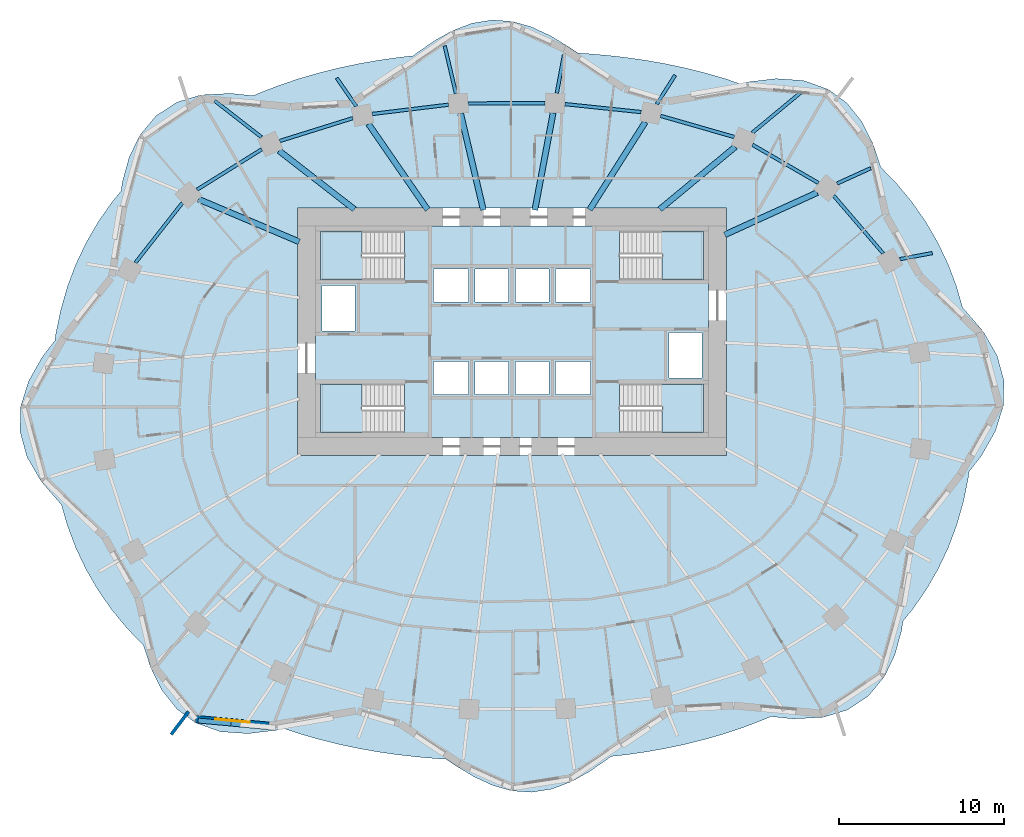
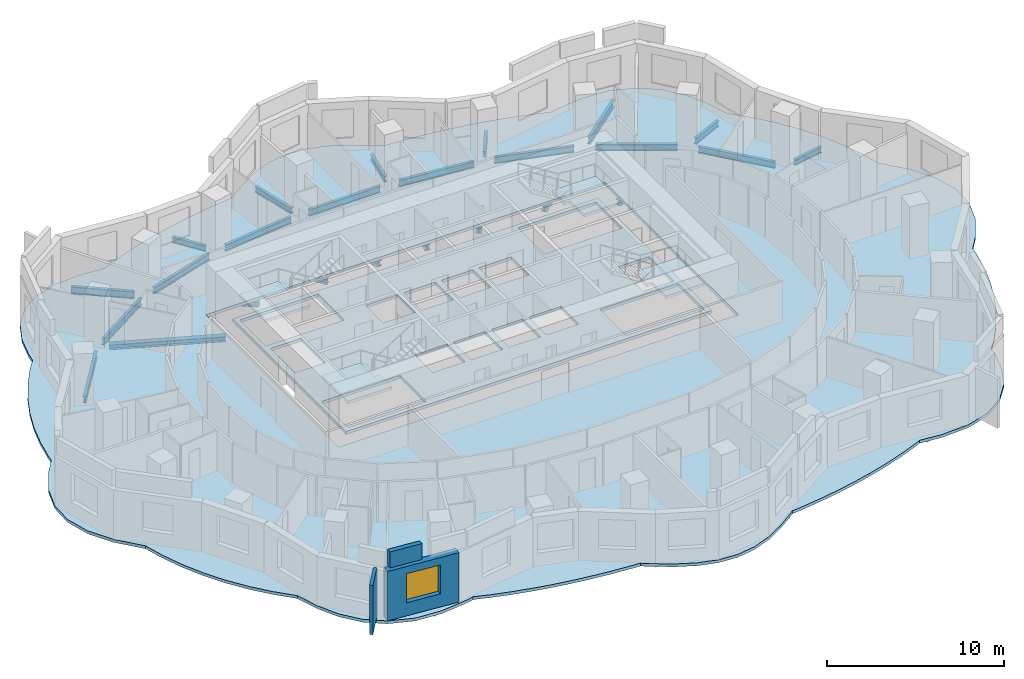
# One storey, part 2 of 11: 25 beams, 6 slabs, 3 walls, 1 window, 1 opening, 4 elements without a shape of their own.
"""IFC4 building model written with IfcOpenShell, lengths in metres."""

from ifc_helpers import new_model, si_unit, direction, frame, frame_2d, origin, origin_2d, place, context, subcontext, project, spatial, polyline, rectangle, i_section, outline, extrude, material, layer, layer_set, material_profile, profile_set, type_object, element, fill, aggregate, save


model = new_model("IFC4")

# Units and contexts
model_context = context("Model", 3, precision=1e-05, world=origin(), true_north=direction((0.0, 1.0)))
body_context = subcontext(model_context, "Body", "Model", "MODEL_VIEW")
ifc_project = project(units=[si_unit("LENGTHUNIT", "METRE"), si_unit("AREAUNIT", "SQUARE_METRE"), si_unit("VOLUMEUNIT", "CUBIC_METRE"), si_unit("PLANEANGLEUNIT", "RADIAN"), si_unit("MASSUNIT", "GRAM", prefix="KILO")], contexts=[model_context])

# Site, building, storey
site_placement = place(None, origin())
site = spatial("IfcSite", under=ifc_project, at=site_placement, CompositionType="ELEMENT")
building_placement = place(site_placement, origin())
building = spatial("IfcBuilding", under=site, at=building_placement, Name="Rubra Terraces Tower", CompositionType="ELEMENT")
storey_placement = place(building_placement, frame((0.0, 0.0, 81.60009765625)))
storey = spatial("IfcBuildingStorey", under=building, at=storey_placement, Name="L18", CompositionType="ELEMENT", Elevation=81.60009765625)

# Beams
ifc_material_1 = material(Name="Steel Q355B", Category="steel")
ifc_material_profile_1 = material_profile(ifc_material_1, i_section(OverallWidth=0.199951171875, OverallDepth=0.39990234375, WebThickness=0.008056640625, FlangeThickness=0.012939453125, at=origin_2d()), Name="HN 400x200x8x13")
ifc_profile_set_1 = profile_set([ifc_material_profile_1], Name="Steel Q355B")
beam_type_1 = type_object("IfcBeamType", Name="CANTILEVER BEAM HN 400x200x8x13", PredefinedType="BEAM", material=ifc_profile_set_1)
beam_1_placement = place(storey_placement, frame((23.5009765625, 8.904052734375, -0.400146484375), z_axis=(0.982960917901, 0.183814672646, 0.0), x_axis=(-0.183814672646, 0.982960917901, 0.0)))
element("IfcBeam", 1, at=beam_1_placement, inside=storey, type_object=beam_type_1, Name="beam-L18-cant-02", PredefinedType="BEAM", context=body_context, shape_type="SweptSolid", body=[
    extrude(i_section(OverallWidth=0.199951171875, OverallDepth=0.39990234375, WebThickness=0.008056640625, FlangeThickness=0.012939453125, at=origin_2d()), origin(), (0.0, 0.0, 1.0), 1.990966796875),
])
beam_2_placement = place(storey_placement, frame((19.697998046875, 13.485107421875, -0.400146484375), z_axis=(0.909796599885, 0.415054390216, 0.0), x_axis=(-0.415054390216, 0.909796599885, 0.0)))
element("IfcBeam", 2, at=beam_2_placement, inside=storey, type_object=beam_type_1, Name="beam-L18-cant-03", PredefinedType="BEAM", context=body_context, shape_type="SweptSolid", body=[
    extrude(i_section(OverallWidth=0.199951171875, OverallDepth=0.39990234375, WebThickness=0.008056640625, FlangeThickness=0.012939453125, at=origin_2d()), origin(), (0.0, 0.0, 1.0), 2.2333984375),
])
beam_3_placement = place(storey_placement, frame((8.76806640625, 18.29296875, -0.400146484375), z_axis=(0.536463819228, 0.843923320367, 0.0), x_axis=(-0.843923320367, 0.536463819228, 0.0)))
element("IfcBeam", 3, at=beam_3_placement, inside=storey, type_object=beam_type_1, Name="beam-L18-cant-05", PredefinedType="BEAM", context=body_context, shape_type="SweptSolid", body=[
    extrude(i_section(OverallWidth=0.199951171875, OverallDepth=0.39990234375, WebThickness=0.008056640625, FlangeThickness=0.012939453125, at=origin_2d()), origin(), (0.0, 0.0, 1.0), 2.072509765625),
])
beam_4_placement = place(storey_placement, frame((2.714111328125, 18.952880859375, -0.400146484375), z_axis=(0.184089718966, 0.982909444136, 0.0), x_axis=(-0.982909444136, 0.184089718966, 0.0)))
element("IfcBeam", 4, at=beam_4_placement, inside=storey, type_object=beam_type_1, Name="beam-L18-cant-06", PredefinedType="BEAM", context=body_context, shape_type="SweptSolid", body=[
    extrude(i_section(OverallWidth=0.199951171875, OverallDepth=0.39990234375, WebThickness=0.008056640625, FlangeThickness=0.012939453125, at=origin_2d()), origin(), (0.0, 0.0, 1.0), 2.37255859375),
])
beam_5_placement = place(storey_placement, frame((-3.39306640625, 18.922119140625, -0.400146484375), z_axis=(-0.229208331065, 0.973377388771, 0.0), x_axis=(-0.973377388771, -0.229208331065, 0.0)))
element("IfcBeam", 5, at=beam_5_placement, inside=storey, type_object=beam_type_1, Name="beam-L18-cant-07", PredefinedType="BEAM", context=body_context, shape_type="SweptSolid", body=[
    extrude(i_section(OverallWidth=0.199951171875, OverallDepth=0.39990234375, WebThickness=0.008056640625, FlangeThickness=0.012939453125, at=origin_2d()), origin(), (0.0, 0.0, 1.0), 2.979248046875),
])
beam_6_placement = place(storey_placement, frame((-9.431884765625, 18.158935546875, -0.400146484375), z_axis=(-0.56812095181, 0.822945067495, 0.0), x_axis=(-0.822945067495, -0.56812095181, 0.0)))
element("IfcBeam", 6, at=beam_6_placement, inside=storey, type_object=beam_type_1, Name="beam-L18-cant-08", PredefinedType="BEAM", context=body_context, shape_type="SweptSolid", body=[
    extrude(i_section(OverallWidth=0.199951171875, OverallDepth=0.39990234375, WebThickness=0.008056640625, FlangeThickness=0.012939453125, at=origin_2d()), origin(), (0.0, 0.0, 1.0), 2.087646484375),
])
ifc_material_profile_2 = material_profile(ifc_material_1, i_section(OverallWidth=0.198974609375, OverallDepth=0.49609375, WebThickness=0.009033203125, FlangeThickness=0.013916015625, at=origin_2d()), Name="HN 496x199x9x14")
ifc_profile_set_2 = profile_set([ifc_material_profile_2], Name="Steel Q355B")
beam_type_2 = type_object("IfcBeamType", Name="CANTILEVER BEAM HN 496x199x9x14", PredefinedType="BEAM", material=ifc_profile_set_2)
beam_7_placement = place(storey_placement, frame((14.56201171875, 16.56689453125, -0.447998046875), z_axis=(0.769981645212, 0.638066035796, 0.0), x_axis=(-0.638066035796, 0.769981645212, 0.0)))
element("IfcBeam", 7, at=beam_7_placement, inside=storey, type_object=beam_type_2, Name="beam-L18-cant-04", PredefinedType="BEAM", context=body_context, shape_type="SweptSolid", body=[
    extrude(i_section(OverallWidth=0.198974609375, OverallDepth=0.49609375, WebThickness=0.009033203125, FlangeThickness=0.013916015625, at=origin_2d()), origin(), (0.0, 0.0, 1.0), 3.949462890625),
])
beam_8_placement = place(storey_placement, frame((-15.177001953125, 16.2958984375, -0.447998046875), z_axis=(-0.789542430664, 0.613695975366, 0.0), x_axis=(-0.613695975366, -0.789542430664, 0.0)))
element("IfcBeam", 8, at=beam_8_placement, inside=storey, type_object=beam_type_2, Name="beam-L18-cant-09", PredefinedType="BEAM", context=body_context, shape_type="SweptSolid", body=[
    extrude(i_section(OverallWidth=0.198974609375, OverallDepth=0.49609375, WebThickness=0.009033203125, FlangeThickness=0.013916015625, at=origin_2d()), origin(), (0.0, 0.0, 1.0), 3.593017578125),
])
ifc_material_profile_3 = material_profile(ifc_material_1, i_section(OverallWidth=0.35009765625, OverallDepth=0.35009765625, WebThickness=0.011962890625, FlangeThickness=0.01904296875, at=origin_2d()), Name="HW 350x350x12x19")
ifc_profile_set_3 = profile_set([ifc_material_profile_3], Name="Steel Q355B")
beam_type_3 = type_object("IfcBeamType", Name="FLOOR BEAM HW 350x350x12x19", PredefinedType="BEAM", material=ifc_profile_set_3)
beam_9_placement = place(storey_placement, frame((18.486083984375, 12.93310546875, -0.375), z_axis=(-0.909749612827, -0.415157370116, 0.0), x_axis=(0.415157370116, -0.909749612827, 0.0)))
element("IfcBeam", 9, at=beam_9_placement, inside=storey, type_object=beam_type_3, Name="beam-L18-floor-03", PredefinedType="BEAM", context=body_context, shape_type="SweptSolid", body=[
    extrude(i_section(OverallWidth=0.35009765625, OverallDepth=0.35009765625, WebThickness=0.011962890625, FlangeThickness=0.01904296875, at=origin_2d()), origin(), (0.0, 0.0, 1.0), 6.14990234375),
])
beam_10_placement = place(storey_placement, frame((13.52197265625, 15.705078125, -0.375), z_axis=(-0.769987448283, -0.638059032917, 0.0), x_axis=(0.638059032917, -0.769987448283, 0.0)))
element("IfcBeam", 10, at=beam_10_placement, inside=storey, type_object=beam_type_3, Name="beam-L18-floor-04", PredefinedType="BEAM", context=body_context, shape_type="SweptSolid", body=[
    extrude(i_section(OverallWidth=0.35009765625, OverallDepth=0.35009765625, WebThickness=0.011962890625, FlangeThickness=0.01904296875, at=origin_2d()), origin(), (0.0, 0.0, 1.0), 5.92724609375),
])
beam_11_placement = place(storey_placement, frame((8.075927734375, 17.205078125, -0.375), z_axis=(-0.536468405163, -0.843920405169, 0.0), x_axis=(0.843920405169, -0.536468405163, 0.0)))
element("IfcBeam", 11, at=beam_11_placement, inside=storey, type_object=beam_type_3, Name="beam-L18-floor-05", PredefinedType="BEAM", context=body_context, shape_type="SweptSolid", body=[
    extrude(i_section(OverallWidth=0.35009765625, OverallDepth=0.35009765625, WebThickness=0.011962890625, FlangeThickness=0.01904296875, at=origin_2d()), origin(), (0.0, 0.0, 1.0), 6.28759765625),
])
beam_12_placement = place(storey_placement, frame((2.489990234375, 17.762939453125, -0.375), z_axis=(-0.184505318504, -0.982831515288, 0.0), x_axis=(0.982831515288, -0.184505318504, 0.0)))
element("IfcBeam", 12, at=beam_12_placement, inside=storey, type_object=beam_type_3, Name="beam-L18-floor-06", PredefinedType="BEAM", context=body_context, shape_type="SweptSolid", body=[
    extrude(i_section(OverallWidth=0.35009765625, OverallDepth=0.35009765625, WebThickness=0.011962890625, FlangeThickness=0.01904296875, at=origin_2d()), origin(), (0.0, 0.0, 1.0), 5.983642578125),
])
beam_13_placement = place(storey_placement, frame((-3.114990234375, 17.738037109375, -0.375), z_axis=(0.229084580284, -0.973406520975, 0.0), x_axis=(0.973406520975, 0.229084580284, 0.0)))
element("IfcBeam", 13, at=beam_13_placement, inside=storey, type_object=beam_type_3, Name="beam-L18-floor-07", PredefinedType="BEAM", context=body_context, shape_type="SweptSolid", body=[
    extrude(i_section(OverallWidth=0.35009765625, OverallDepth=0.35009765625, WebThickness=0.011962890625, FlangeThickness=0.01904296875, at=origin_2d()), origin(), (0.0, 0.0, 1.0), 6.014892578125),
])
beam_14_placement = place(storey_placement, frame((-8.694091796875, 17.091064453125, -0.375), z_axis=(0.568116443955, -0.822948179479, 0.0), x_axis=(0.822948179479, 0.568116443955, 0.0)))
element("IfcBeam", 14, at=beam_14_placement, inside=storey, type_object=beam_type_3, Name="beam-L18-floor-08", PredefinedType="BEAM", context=body_context, shape_type="SweptSolid", body=[
    extrude(i_section(OverallWidth=0.35009765625, OverallDepth=0.35009765625, WebThickness=0.011962890625, FlangeThickness=0.01904296875, at=origin_2d()), origin(), (0.0, 0.0, 1.0), 6.306884765625),
])
beam_15_placement = place(storey_placement, frame((-14.10888671875, 15.466064453125, -0.375), z_axis=(0.789514006973, -0.613732541742, 0.0), x_axis=(0.613732541742, 0.789514006973, 0.0)))
element("IfcBeam", 15, at=beam_15_placement, inside=storey, type_object=beam_type_3, Name="beam-L18-floor-09", PredefinedType="BEAM", context=body_context, shape_type="SweptSolid", body=[
    extrude(i_section(OverallWidth=0.35009765625, OverallDepth=0.35009765625, WebThickness=0.011962890625, FlangeThickness=0.01904296875, at=origin_2d()), origin(), (0.0, 0.0, 1.0), 5.76806640625),
])
beam_16_placement = place(storey_placement, frame((-18.98291015625, 12.531982421875, -0.375), z_axis=(0.920986092, -0.389595454726, 0.0), x_axis=(0.389595454726, 0.920986092, 0.0)))
element("IfcBeam", 16, at=beam_16_placement, inside=storey, type_object=beam_type_3, Name="beam-L18-floor-10", PredefinedType="BEAM", context=body_context, shape_type="SweptSolid", body=[
    extrude(i_section(OverallWidth=0.35009765625, OverallDepth=0.35009765625, WebThickness=0.011962890625, FlangeThickness=0.01904296875, at=origin_2d()), origin(), (0.0, 0.0, 1.0), 6.61669921875),
])
ifc_material_profile_4 = material_profile(ifc_material_1, i_section(OverallWidth=0.198974609375, OverallDepth=0.446044921875, WebThickness=0.008056640625, FlangeThickness=0.011962890625, at=origin_2d()), Name="HN 446x199x8x12")
ifc_profile_set_4 = profile_set([ifc_material_profile_4], Name="Steel Q355B")
beam_type_4 = type_object("IfcBeamType", Name="SPANDREL BEAM HN 446x199x8x12", PredefinedType="SPANDREL", material=ifc_profile_set_4)
beam_17_placement = place(storey_placement, frame((22.48095703125, 9.251953125, -0.423095703125), z_axis=(-0.650428637413, 0.759567368726, 0.0), x_axis=(-0.759567368726, -0.650428637413, 0.0)))
element("IfcBeam", 17, at=beam_17_placement, inside=storey, type_object=beam_type_4, Name="beam-L18-spandrel-02", PredefinedType="SPANDREL", context=body_context, shape_type="SweptSolid", body=[
    extrude(i_section(OverallWidth=0.198974609375, OverallDepth=0.446044921875, WebThickness=0.008056640625, FlangeThickness=0.011962890625, at=origin_2d()), origin(), (0.0, 0.0, 1.0), 4.6015625),
])
beam_18_placement = place(storey_placement, frame((18.56494140625, 13.513916015625, -0.423095703125), z_axis=(-0.865116425734, 0.501571101565, 0.0), x_axis=(-0.501571101565, -0.865116425734, 0.0)))
element("IfcBeam", 18, at=beam_18_placement, inside=storey, type_object=beam_type_4, Name="beam-L18-spandrel-03", PredefinedType="SPANDREL", context=body_context, shape_type="SweptSolid", body=[
    extrude(i_section(OverallWidth=0.198974609375, OverallDepth=0.446044921875, WebThickness=0.008056640625, FlangeThickness=0.011962890625, at=origin_2d()), origin(), (0.0, 0.0, 1.0), 4.62353515625),
])
beam_19_placement = place(storey_placement, frame((13.4609375, 16.302978515625, -0.423095703125), z_axis=(-0.961195652649, 0.275867572085, 0.0), x_axis=(-0.275867572085, -0.961195652649, 0.0)))
element("IfcBeam", 19, at=beam_19_placement, inside=storey, type_object=beam_type_4, Name="beam-L18-spandrel-04", PredefinedType="SPANDREL", context=body_context, shape_type="SweptSolid", body=[
    extrude(i_section(OverallWidth=0.198974609375, OverallDepth=0.446044921875, WebThickness=0.008056640625, FlangeThickness=0.011962890625, at=origin_2d()), origin(), (0.0, 0.0, 1.0), 4.639892578125),
])
beam_20_placement = place(storey_placement, frame((7.822998046875, 17.81201171875, -0.423095703125), z_axis=(-0.994588599148, 0.103891859374, 0.0), x_axis=(-0.103891859374, -0.994588599148, 0.0)))
element("IfcBeam", 20, at=beam_20_placement, inside=storey, type_object=beam_type_4, Name="beam-L18-spandrel-05", PredefinedType="SPANDREL", context=body_context, shape_type="SweptSolid", body=[
    extrude(i_section(OverallWidth=0.198974609375, OverallDepth=0.446044921875, WebThickness=0.008056640625, FlangeThickness=0.011962890625, at=origin_2d()), origin(), (0.0, 0.0, 1.0), 4.648193359375),
])
beam_21_placement = place(storey_placement, frame((2.0009765625, 18.35498046875, -0.423095703125), z_axis=(-0.99998885538, -0.004721135025, 0.0), x_axis=(0.004721135025, -0.99998885538, 0.0)))
element("IfcBeam", 21, at=beam_21_placement, inside=storey, type_object=beam_type_4, Name="beam-L18-spandrel-06", PredefinedType="SPANDREL", context=body_context, shape_type="SweptSolid", body=[
    extrude(i_section(OverallWidth=0.198974609375, OverallDepth=0.446044921875, WebThickness=0.008056640625, FlangeThickness=0.011962890625, at=origin_2d()), origin(), (0.0, 0.0, 1.0), 4.654052734375),
])
beam_22_placement = place(storey_placement, frame((-3.85107421875, 18.258056640625, -0.423095703125), z_axis=(-0.992713612833, -0.120497646851, 0.0), x_axis=(0.120497646851, -0.992713612833, 0.0)))
element("IfcBeam", 22, at=beam_22_placement, inside=storey, type_object=beam_type_4, Name="beam-L18-spandrel-07", PredefinedType="SPANDREL", context=body_context, shape_type="SweptSolid", body=[
    extrude(i_section(OverallWidth=0.198974609375, OverallDepth=0.446044921875, WebThickness=0.008056640625, FlangeThickness=0.011962890625, at=origin_2d()), origin(), (0.0, 0.0, 1.0), 4.64794921875),
])
beam_23_placement = place(storey_placement, frame((-9.637939453125, 17.445068359375, -0.423095703125), z_axis=(-0.954462184919, -0.298331925142, 0.0), x_axis=(0.298331925142, -0.954462184919, 0.0)))
element("IfcBeam", 23, at=beam_23_placement, inside=storey, type_object=beam_type_4, Name="beam-L18-spandrel-08", PredefinedType="SPANDREL", context=body_context, shape_type="SweptSolid", body=[
    extrude(i_section(OverallWidth=0.198974609375, OverallDepth=0.446044921875, WebThickness=0.008056640625, FlangeThickness=0.011962890625, at=origin_2d()), origin(), (0.0, 0.0, 1.0), 4.63916015625),
])
beam_24_placement = place(storey_placement, frame((-15.156005859375, 15.56103515625, -0.423095703125), z_axis=(-0.848188188849, -0.529695003089, 0.0), x_axis=(0.529695003089, -0.848188188849, 0.0)))
element("IfcBeam", 24, at=beam_24_placement, inside=storey, type_object=beam_type_4, Name="beam-L18-spandrel-09", PredefinedType="SPANDREL", context=body_context, shape_type="SweptSolid", body=[
    extrude(i_section(OverallWidth=0.198974609375, OverallDepth=0.446044921875, WebThickness=0.008056640625, FlangeThickness=0.011962890625, at=origin_2d()), origin(), (0.0, 0.0, 1.0), 4.62158203125),
])
beam_25_placement = place(storey_placement, frame((-19.968994140625, 12.31103515625, -0.423095703125), z_axis=(-0.61694919408, -0.787002980886, 0.0), x_axis=(0.787002980886, -0.61694919408, 0.0)))
element("IfcBeam", 25, at=beam_25_placement, inside=storey, type_object=beam_type_4, Name="beam-L18-spandrel-10", PredefinedType="SPANDREL", context=body_context, shape_type="SweptSolid", body=[
    extrude(i_section(OverallWidth=0.198974609375, OverallDepth=0.446044921875, WebThickness=0.008056640625, FlangeThickness=0.011962890625, at=origin_2d()), origin(), (0.0, 0.0, 1.0), 4.599853515625),
])

# Slab
ifc_material_2 = material(Name="Concrete C40", Category="concrete")
ifc_layer_1 = layer(ifc_material_2, 0.199951171875)
ifc_layer_set_1 = layer_set([ifc_layer_1], Name="Concrete C40")
slab_type_1 = type_object("IfcSlabType", Name="Core floor slab 200 concrete", PredefinedType="FLOOR", material=ifc_layer_set_1)
slab_1_placement = place(storey_placement, frame((0.0, 0.0, -0.2001953125)))
element("IfcSlab", 26, at=slab_1_placement, inside=storey, type_object=slab_type_1, Name="CORE FLOOR SLAB L18", PredefinedType="FLOOR", context=body_context, shape_type="SweptSolid", body=[
    extrude(outline(polyline([(-11.89990234375, -1.89990234375), (-11.89990234375, 10.89990234375), (11.89990234375, 10.89990234375), (11.89990234375, -1.89990234375), (-11.89990234375, -1.89990234375)]), holes=[polyline([(11.597900390625, 1.347900390625), (6.501953125, 1.347900390625), (6.501953125, -1.597900390625), (11.597900390625, -1.597900390625), (11.597900390625, 1.347900390625)]), polyline([(11.597900390625, 7.652099609375), (11.597900390625, 10.597900390625), (6.501953125, 10.597900390625), (6.501953125, 7.652099609375), (11.597900390625, 7.652099609375)]), polyline([(9.5, 1.699951171875), (11.5, 1.699951171875), (11.5, 4.449951171875), (9.5, 4.449951171875), (9.5, 1.699951171875)]), polyline([(4.75, 0.699951171875), (4.75, 2.699951171875), (2.64990234375, 2.699951171875), (2.64990234375, 0.699951171875), (4.75, 0.699951171875)]), polyline([(4.75, 6.300048828125), (4.75, 8.300048828125), (2.64990234375, 8.300048828125), (2.64990234375, 6.300048828125), (4.75, 6.300048828125)]), polyline([(2.25, 0.699951171875), (2.25, 2.699951171875), (0.199951171875, 2.699951171875), (0.199951171875, 0.699951171875), (2.25, 0.699951171875)]), polyline([(2.25, 6.300048828125), (2.25, 8.300048828125), (0.199951171875, 8.300048828125), (0.199951171875, 6.300048828125), (2.25, 6.300048828125)]), polyline([(-0.199951171875, 0.699951171875), (-0.199951171875, 2.699951171875), (-2.25, 2.699951171875), (-2.25, 0.699951171875), (-0.199951171875, 0.699951171875)]), polyline([(-0.199951171875, 6.300048828125), (-0.199951171875, 8.300048828125), (-2.25, 8.300048828125), (-2.25, 6.300048828125), (-0.199951171875, 6.300048828125)]), polyline([(-2.64990234375, 0.699951171875), (-2.64990234375, 2.699951171875), (-4.75, 2.699951171875), (-4.75, 0.699951171875), (-2.64990234375, 0.699951171875)]), polyline([(-2.64990234375, 8.300048828125), (-4.75, 8.300048828125), (-4.75, 6.300048828125), (-2.64990234375, 6.300048828125), (-2.64990234375, 8.300048828125)]), polyline([(-11.597900390625, -1.597900390625), (-6.501953125, -1.597900390625), (-6.501953125, 1.347900390625), (-11.597900390625, 1.347900390625), (-11.597900390625, -1.597900390625)]), polyline([(-11.597900390625, 10.597900390625), (-11.597900390625, 7.652099609375), (-6.501953125, 7.652099609375), (-6.501953125, 10.597900390625), (-11.597900390625, 10.597900390625)]), polyline([(-9.5, 4.550048828125), (-9.5, 7.300048828125), (-11.5, 7.300048828125), (-11.5, 4.550048828125), (-9.5, 4.550048828125)])]), origin(), (0.0, 0.0, 1.0), 0.2001953125),
])

# Stair, slab
stair_type = type_object("IfcStairType", Name="Core stair 1400", PredefinedType="HALF_TURN_STAIR", material=ifc_material_2)
stair_1_placement = place(storey_placement, origin())
stair_1 = element("IfcStair", 27, at=stair_1_placement, inside=storey, type_object=stair_type, Name="L18 Exit stair S1", PredefinedType="HALF_TURN_STAIR")
ifc_layer_2 = layer(ifc_material_2, 0.199951171875)
ifc_layer_set_2 = layer_set([ifc_layer_2], Name="Concrete C40")
slab_type_2 = type_object("IfcSlabType", Name="Core stair landing 200", PredefinedType="LANDING", material=ifc_layer_set_2)
slab_2_placement = place(storey_placement, frame((0.0, 0.0, 1.599853515625)))
slab_2 = element("IfcSlab", 28, at=slab_2_placement, type_object=slab_type_2, Name="S1 landing 1", PredefinedType="LANDING", context=body_context, shape_type="SweptSolid", body=[
    extrude(outline(polyline([(-8.719970703125, -0.199951171875), (-8.719970703125, -1.60009765625), (-9.10009765625, -1.60009765625), (-9.1201171875, -1.60009765625), (-11.60009765625, -1.60009765625), (-11.60009765625, 1.35009765625), (-9.1201171875, 1.35009765625), (-9.097900390625, 1.35009765625), (-9.097900390625, -0.050048828125), (-9.10009765625, -0.050048828125), (-9.10009765625, -0.199951171875), (-8.719970703125, -0.199951171875)])), origin(), (0.0, 0.0, 1.0), 0.199951171875),
])
aggregate(stair_1, [slab_2])

stair_2_placement = place(storey_placement, origin())
stair_2 = element("IfcStair", 29, at=stair_2_placement, inside=storey, type_object=stair_type, Name="L18 Exit stair S2", PredefinedType="HALF_TURN_STAIR")
slab_3_placement = place(storey_placement, frame((0.0, 0.0, 1.599853515625)))
slab_3 = element("IfcSlab", 30, at=slab_3_placement, type_object=slab_type_2, Name="S2 landing 1", PredefinedType="LANDING", context=body_context, shape_type="SweptSolid", body=[
    extrude(outline(polyline([(-8.719970703125, 9.050048828125), (-8.719970703125, 7.64990234375), (-9.1201171875, 7.64990234375), (-11.60009765625, 7.64990234375), (-11.60009765625, 10.60009765625), (-9.1201171875, 10.60009765625), (-9.10009765625, 10.60009765625), (-9.097900390625, 10.60009765625), (-9.097900390625, 9.199951171875), (-9.10009765625, 9.199951171875), (-9.10009765625, 9.050048828125), (-8.719970703125, 9.050048828125)])), origin(), (0.0, 0.0, 1.0), 0.199951171875),
])
aggregate(stair_2, [slab_3])

stair_3_placement = place(storey_placement, origin())
stair_3 = element("IfcStair", 31, at=stair_3_placement, inside=storey, type_object=stair_type, Name="L18 Exit stair S3", PredefinedType="HALF_TURN_STAIR")
slab_4_placement = place(storey_placement, frame((0.0, 0.0, 1.599853515625)))
slab_4 = element("IfcSlab", 32, at=slab_4_placement, type_object=slab_type_2, Name="S3 landing 1", PredefinedType="LANDING", context=body_context, shape_type="SweptSolid", body=[
    extrude(outline(polyline([(9.10009765625, 9.050048828125), (9.10009765625, 9.199951171875), (8.719970703125, 9.199951171875), (8.719970703125, 10.60009765625), (9.10009765625, 10.60009765625), (9.1201171875, 10.60009765625), (11.60009765625, 10.60009765625), (11.60009765625, 7.64990234375), (9.1201171875, 7.64990234375), (9.097900390625, 7.64990234375), (9.097900390625, 9.050048828125), (9.10009765625, 9.050048828125)])), origin(), (0.0, 0.0, 1.0), 0.199951171875),
])
aggregate(stair_3, [slab_4])

stair_4_placement = place(storey_placement, origin())
stair_4 = element("IfcStair", 33, at=stair_4_placement, inside=storey, type_object=stair_type, Name="L18 Exit stair S4", PredefinedType="HALF_TURN_STAIR")
slab_5_placement = place(storey_placement, frame((0.0, 0.0, 1.599853515625)))
slab_5 = element("IfcSlab", 34, at=slab_5_placement, type_object=slab_type_2, Name="S4 landing 1", PredefinedType="LANDING", context=body_context, shape_type="SweptSolid", body=[
    extrude(outline(polyline([(9.10009765625, -0.199951171875), (9.10009765625, -0.050048828125), (8.719970703125, -0.050048828125), (8.719970703125, 1.35009765625), (9.10009765625, 1.35009765625), (9.1201171875, 1.35009765625), (11.60009765625, 1.35009765625), (11.60009765625, -1.60009765625), (9.1201171875, -1.60009765625), (9.10009765625, -1.60009765625), (9.097900390625, -1.60009765625), (9.097900390625, -0.199951171875), (9.10009765625, -0.199951171875)])), origin(), (0.0, 0.0, 1.0), 0.199951171875),
])
aggregate(stair_4, [slab_5])

# Slab
ifc_layer_3 = layer(ifc_material_2, 0.199951171875)
ifc_layer_set_3 = layer_set([ifc_layer_3], Name="Concrete C40")
slab_type_3 = type_object("IfcSlabType", Name="FLOOR SLAB 200 COMPOSITE", PredefinedType="FLOOR", material=ifc_layer_set_3)
slab_6_placement = place(storey_placement, frame((0.0, 0.0, -0.2001953125)))
element("IfcSlab", 35, at=slab_6_placement, inside=storey, type_object=slab_type_3, Name="FLOOR SLAB L18", PredefinedType="FLOOR", context=body_context, shape_type="SweptSolid", body=[
    extrude(outline(polyline([(-8.06396484375, -20.955078125), (-6.864013671875, -21.1259765625), (-5.7099609375, -21.256103515625), (-4.552978515625, -21.35498046875), (-3.99609375, -21.389892578125), (-3.447021484375, -21.762939453125), (-2.31591796875, -22.444091796875), (-1.162109375, -22.97900390625), (0.0, -23.306884765625), (1.201904296875, -23.389892578125), (2.408935546875, -23.197998046875), (3.60302734375, -22.7470703125), (4.675048828125, -22.14794921875), (5.714111328125, -21.43408203125), (5.990966796875, -21.22412109375), (6.864013671875, -21.1259765625), (8.06396484375, -20.955078125), (9.258056640625, -20.7470703125), (10.444091796875, -20.498046875), (11.681884765625, -20.19091796875), (12.906982421875, -19.8359375), (14.115966796875, -19.428955078125), (15.365966796875, -18.944091796875), (15.680908203125, -18.802978515625), (17.028076171875, -18.945068359375), (18.85009765625, -18.85009765625), (20.320068359375, -18.403076171875), (21.5791015625, -17.572998046875), (22.55908203125, -16.389892578125), (23.196044921875, -15.06103515625), (23.595947265625, -13.60791015625), (23.68798828125, -13.01708984375), (24.239013671875, -12.35009765625), (25.071044921875, -11.157958984375), (25.802001953125, -9.89990234375), (26.425048828125, -8.5859375), (26.93994140625, -7.217041015625), (27.342041015625, -5.81005859375), (27.635009765625, -4.376953125), (27.68798828125, -3.972900390625), (28.449951171875, -2.988037109375), (29.281982421875, -1.51904296875), (29.757080078125, 0.0), (29.802978515625, 1.535888671875), (29.383056640625, 3.072021484375), (28.547119140625, 4.52099609375), (27.39111328125, 5.866943359375), (27.302001953125, 5.950927734375), (26.93994140625, 7.217041015625), (26.425048828125, 8.5859375), (25.802001953125, 9.89990234375), (25.071044921875, 11.157958984375), (24.239013671875, 12.35009765625), (23.324951171875, 13.45703125), (22.3349609375, 14.48193359375), (21.8701171875, 15.889892578125), (21.199951171875, 17.222900390625), (20.301025390625, 18.346923828125), (19.179931640625, 19.179931640625), (17.657958984375, 19.72412109375), (15.985107421875, 19.839111328125), (14.263916015625, 19.633056640625), (13.802978515625, 19.533935546875), (12.906982421875, 19.8359375), (11.681884765625, 20.19091796875), (10.444091796875, 20.498046875), (9.258056640625, 20.7470703125), (8.06396484375, 20.955078125), (6.864013671875, 21.1259765625), (5.7099609375, 21.256103515625), (4.552978515625, 21.35498046875), (3.99609375, 21.389892578125), (3.447021484375, 21.762939453125), (2.31591796875, 22.444091796875), (1.162109375, 22.97900390625), (0.0, 23.306884765625), (-1.201904296875, 23.389892578125), (-2.408935546875, 23.197998046875), (-3.60302734375, 22.7470703125), (-4.675048828125, 22.14794921875), (-5.714111328125, 21.43408203125), (-5.990966796875, 21.22412109375), (-6.864013671875, 21.1259765625), (-8.06396484375, 20.955078125), (-9.258056640625, 20.7470703125), (-10.444091796875, 20.498046875), (-11.681884765625, 20.19091796875), (-12.906982421875, 19.8359375), (-14.115966796875, 19.428955078125), (-15.365966796875, 18.944091796875), (-15.680908203125, 18.802978515625), (-17.028076171875, 18.945068359375), (-18.85009765625, 18.85009765625), (-20.320068359375, 18.403076171875), (-21.5791015625, 17.572998046875), (-22.55908203125, 16.389892578125), (-23.196044921875, 15.06103515625), (-23.595947265625, 13.60791015625), (-23.68798828125, 13.01708984375), (-24.239013671875, 12.35009765625), (-25.071044921875, 11.157958984375), (-25.802001953125, 9.89990234375), (-26.425048828125, 8.5859375), (-26.93994140625, 7.217041015625), (-27.342041015625, 5.81005859375), (-27.635009765625, 4.376953125), (-27.68798828125, 3.972900390625), (-28.449951171875, 2.988037109375), (-29.281982421875, 1.51904296875), (-29.757080078125, 0.0), (-29.802978515625, -1.535888671875), (-29.383056640625, -3.072021484375), (-28.547119140625, -4.52099609375), (-27.39111328125, -5.866943359375), (-27.302001953125, -5.950927734375), (-26.93994140625, -7.217041015625), (-26.425048828125, -8.5859375), (-25.802001953125, -9.89990234375), (-25.071044921875, -11.157958984375), (-24.239013671875, -12.35009765625), (-23.324951171875, -13.45703125), (-22.3349609375, -14.48193359375), (-21.8701171875, -15.889892578125), (-21.199951171875, -17.222900390625), (-20.301025390625, -18.346923828125), (-19.179931640625, -19.179931640625), (-17.657958984375, -19.72412109375), (-15.985107421875, -19.839111328125), (-14.263916015625, -19.633056640625), (-13.802978515625, -19.533935546875), (-12.906982421875, -19.8359375), (-11.681884765625, -20.19091796875), (-10.444091796875, -20.498046875), (-9.258056640625, -20.7470703125), (-8.06396484375, -20.955078125)]), holes=[polyline([(13.0, 12.0), (13.0, -3.0), (-13.0, -3.0), (-13.0, 12.0), (13.0, 12.0)])]), origin(), (0.0, 0.0, 1.0), 0.2001953125),
])

# Wall, opening, window
ifc_material_3 = material(Name="Brick masonry red-brown", Category="masonry")
ifc_layer_4 = layer(ifc_material_3, 0.449951171875)
ifc_layer_set_4 = layer_set([ifc_layer_4], Name="Brick masonry red-brown")
wall_type_1 = type_object("IfcWallType", Name="Brick facade wall 450", PredefinedType="SOLIDWALL", material=ifc_layer_set_4)
wall_1_placement = place(storey_placement, frame((-19.1591796875, -18.955810546875, 0.0), z_axis=(0.0, 0.0, 1.0), x_axis=(0.995777399421, -0.091800712424, 0.0)))
wall_1 = element("IfcWall", 36, at=wall_1_placement, inside=storey, type_object=wall_type_1, Name="Facade wall L18 bay 26", PredefinedType="SOLIDWALL", context=body_context, shape_type="SweptSolid", body=[
    extrude(rectangle(XDim=4.45458984375, YDim=0.449951171875, at=frame_2d((2.227294921875, 0.0))), origin(), (0.0, 0.0, 1.0), 3.39990234375),
])
opening_placement = place(wall_1_placement, frame((1.177490234375, 0.0, 0.89990234375)))
opening = element("IfcOpeningElement", 37, at=opening_placement, cuts=wall_1, Name="Opening W1", PredefinedType="OPENING", context=body_context, shape_type="SweptSolid", body=[
    extrude(rectangle(XDim=2.10009765625, YDim=2.0, at=frame_2d((1.050048828125, 1.0))), frame((0.0, 0.23486328125, 0.0), z_axis=(0.0, -1.0, 0.0), x_axis=(1.0, 0.0, 0.0)), (0.0, 0.0, 1.0), 0.469970703125),
])
ifc_material_4 = material(Name="Clear glass in aluminium frame", Category="aluminium")
window_type = type_object("IfcWindowType", Name="Fixed deep-set window 2100 x 2000", PartitioningType="SINGLE_PANEL", PredefinedType="WINDOW", material=ifc_material_4)
window_placement = place(opening_placement, origin())
window = element("IfcWindow", 38, at=window_placement, inside=storey, type_object=window_type, Name="Window L18 bay 26", OverallHeight=2.0, OverallWidth=2.10009765625, PartitioningType="SINGLE_PANEL", PredefinedType="WINDOW", context=body_context, shape_type="SweptSolid", body=[
    extrude(rectangle(XDim=2.10009765625, YDim=2.0, at=frame_2d((1.050048828125, 1.0))), frame((0.0, 0.135009765625, 0.0), z_axis=(0.0, -1.0, 0.0), x_axis=(1.0, 0.0, 0.0)), (0.0, 0.0, 1.0), 0.06005859375),
])
fill(opening, window)

# Walls
ifc_layer_5 = layer(ifc_material_3, 0.300048828125)
ifc_layer_set_5 = layer_set([ifc_layer_5], Name="Brick masonry red-brown")
wall_type_2 = type_object("IfcWallType", Name="Brick parapet 300", PredefinedType="PARAPET", material=ifc_layer_set_5)
wall_2_placement = place(storey_placement, frame((-19.01123046875, -19.044921875, 3.599853515625), z_axis=(0.0, 0.0, 1.0), x_axis=(0.995779953678, -0.09177300176, 0.0)))
element("IfcWall", 39, at=wall_2_placement, inside=storey, type_object=wall_type_2, Name="Parapet L18 bay 26", PredefinedType="PARAPET", context=body_context, shape_type="SweptSolid", body=[
    extrude(rectangle(XDim=1.992431640625, YDim=0.300048828125, at=frame_2d((0.99609375, 0.0))), origin(), (0.0, 0.0, 1.0), 1.10009765625),
])
ifc_layer_6 = layer(ifc_material_3, 0.199951171875)
ifc_layer_set_6 = layer_set([ifc_layer_6], Name="Brick masonry red-brown")
wall_type_3 = type_object("IfcWallType", Name="Brick wind fin 200", PredefinedType="SOLIDWALL", material=ifc_layer_set_6)
wall_3_placement = place(storey_placement, frame((-19.591064453125, -18.498046875, 0.0), z_axis=(0.0, 0.0, 1.0), x_axis=(-0.603387525063, -0.797448114048, 0.0)))
element("IfcWall", 40, at=wall_3_placement, inside=storey, type_object=wall_type_3, Name="Wind fin L18 15", PredefinedType="SOLIDWALL", context=body_context, shape_type="SweptSolid", body=[
    extrude(rectangle(XDim=1.75, YDim=0.199951171875, at=frame_2d((0.875, 0.0))), origin(), (0.0, 0.0, 1.0), 3.39990234375),
])

save(model, "model.ifc")
